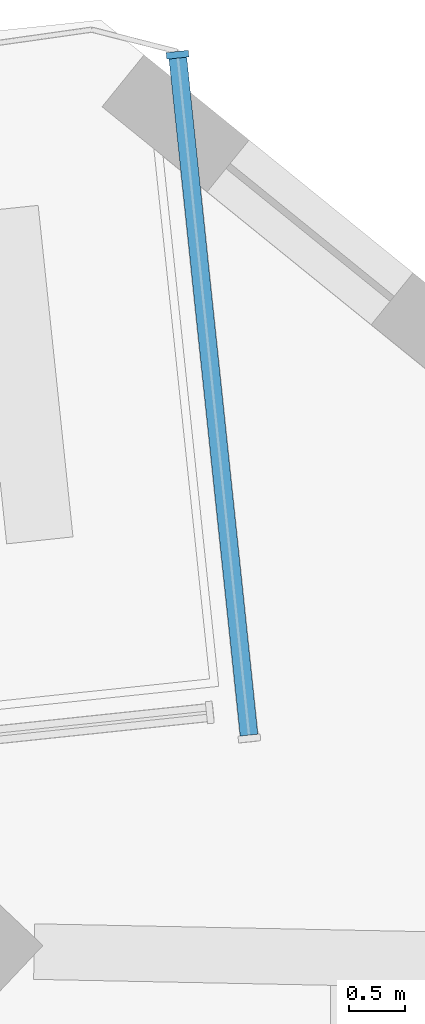
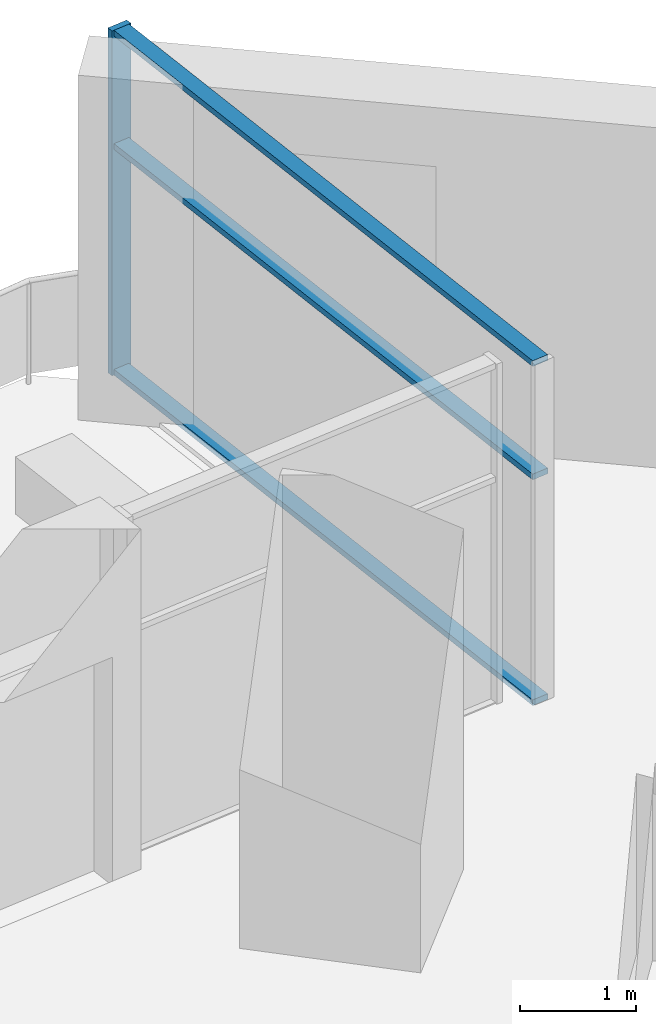
# One storey, part 5 of 14: 4 members, 1 element without a shape of its own.
"""IFC4 building model written with IfcOpenShell, lengths in metres."""

from ifc_helpers import new_model, si_unit, direction, frame, origin, origin_2d, place, context, subcontext, project, spatial, rectangle, extrude, material, material_profile, profile_set, type_object, element, aggregate, save


model = new_model("IFC4")

# Units and contexts
model_context = context("Model", 3, precision=1e-05, world=origin(), true_north=direction((0.0, 1.0)))
body_context = subcontext(model_context, "Body", "Model", "MODEL_VIEW")
ifc_project = project(units=[si_unit("LENGTHUNIT", "METRE"), si_unit("AREAUNIT", "SQUARE_METRE"), si_unit("VOLUMEUNIT", "CUBIC_METRE"), si_unit("PLANEANGLEUNIT", "RADIAN"), si_unit("MASSUNIT", "GRAM", prefix="KILO")], contexts=[model_context])

# Site, building, storey
site_placement = place(None, origin())
site = spatial("IfcSite", under=ifc_project, at=site_placement, CompositionType="ELEMENT")
building_placement = place(site_placement, origin())
building = spatial("IfcBuilding", under=site, at=building_placement, Name="Dilmun Exchange Tower", CompositionType="ELEMENT")
storey_placement = place(building_placement, frame((0.0, 0.0, 225.300048828125)))
storey = spatial("IfcBuildingStorey", under=building, at=storey_placement, Name="L53", CompositionType="ELEMENT", Elevation=225.300048828125)

# Curtain wall, members
ifc_material_1 = material(Name="Anodised aluminium and clear glass", Category="aluminium")
curtain_wall_type = type_object("IfcCurtainWallType", Name="Garden corner glazing", PredefinedType="NOTDEFINED", material=ifc_material_1)
curtain_wall_placement = place(storey_placement, origin())
curtain_wall = element("IfcCurtainWall", 1, at=curtain_wall_placement, inside=storey, type_object=curtain_wall_type, Name="Garden corner glazing run GC1.1", PredefinedType="NOTDEFINED")
ifc_material_2 = material(Name="Anodised aluminium", Category="aluminium")
ifc_material_profile_1 = material_profile(ifc_material_2, rectangle(XDim=0.199951171875, YDim=0.06005859375, at=origin_2d()), Name="AL 60x200")
ifc_profile_set_1 = profile_set([ifc_material_profile_1], Name="Anodised aluminium")
member_type_1 = type_object("IfcMemberType", Name="Garden corner glazing mullion 60 x 200", PredefinedType="MULLION", material=ifc_profile_set_1)
member_1_placement = place(storey_placement, frame((4.02685546875, 35.587646484375, 0.0), z_axis=(0.0, 0.0, 1.0), x_axis=(0.994520705874, 0.104539779931, 0.0)))
member_1 = element("IfcMember", 2, at=member_1_placement, type_object=member_type_1, Name="GC1.1 mullion 1", PredefinedType="MULLION", context=body_context, shape_type="SweptSolid", body=[
    extrude(rectangle(XDim=0.199951171875, YDim=0.06005859375, at=origin_2d()), origin(), (0.0, 0.0, 1.0), 3.619873046875),
])
ifc_material_profile_2 = material_profile(ifc_material_2, rectangle(XDim=0.159912109375, YDim=0.06005859375, at=origin_2d()), Name="AL 60x160")
ifc_profile_set_2 = profile_set([ifc_material_profile_2], Name="Anodised aluminium")
member_type_2 = type_object("IfcMemberType", Name="Garden corner glazing transom 60 x 160", PredefinedType="USERDEFINED", material=ifc_profile_set_2)
member_2_placement = place(storey_placement, frame((4.02978515625, 35.557861328125, 0.030029296875), z_axis=(0.104568615863, -0.994517674341, 0.0), x_axis=(0.994517674341, 0.104568615863, 0.0)))
member_2 = element("IfcMember", 3, at=member_2_placement, type_object=member_type_2, Name="GC1.1 transom 1.1", ObjectType="TRANSOM", PredefinedType="USERDEFINED", context=body_context, shape_type="SweptSolid", body=[
    extrude(rectangle(XDim=0.159912109375, YDim=0.06005859375, at=origin_2d()), origin(), (0.0, 0.0, 1.0), 6.12646484375),
])
member_3_placement = place(storey_placement, frame((4.02978515625, 35.557861328125, 2.39990234375), z_axis=(0.104568615863, -0.994517674341, 0.0), x_axis=(0.994517674341, 0.104568615863, 0.0)))
member_3 = element("IfcMember", 4, at=member_3_placement, type_object=member_type_2, Name="GC1.1 transom 1.2", ObjectType="TRANSOM", PredefinedType="USERDEFINED", context=body_context, shape_type="SweptSolid", body=[
    extrude(rectangle(XDim=0.159912109375, YDim=0.06005859375, at=origin_2d()), origin(), (0.0, 0.0, 1.0), 6.12646484375),
])
member_4_placement = place(storey_placement, frame((4.02978515625, 35.557861328125, 3.58984375), z_axis=(0.104568615863, -0.994517674341, 0.0), x_axis=(0.994517674341, 0.104568615863, 0.0)))
member_4 = element("IfcMember", 5, at=member_4_placement, type_object=member_type_2, Name="GC1.1 transom 1.3", ObjectType="TRANSOM", PredefinedType="USERDEFINED", context=body_context, shape_type="SweptSolid", body=[
    extrude(rectangle(XDim=0.159912109375, YDim=0.06005859375, at=origin_2d()), origin(), (0.0, 0.0, 1.0), 6.12646484375),
])
aggregate(curtain_wall, [member_1, member_2, member_3, member_4])

save(model, "model.ifc")
